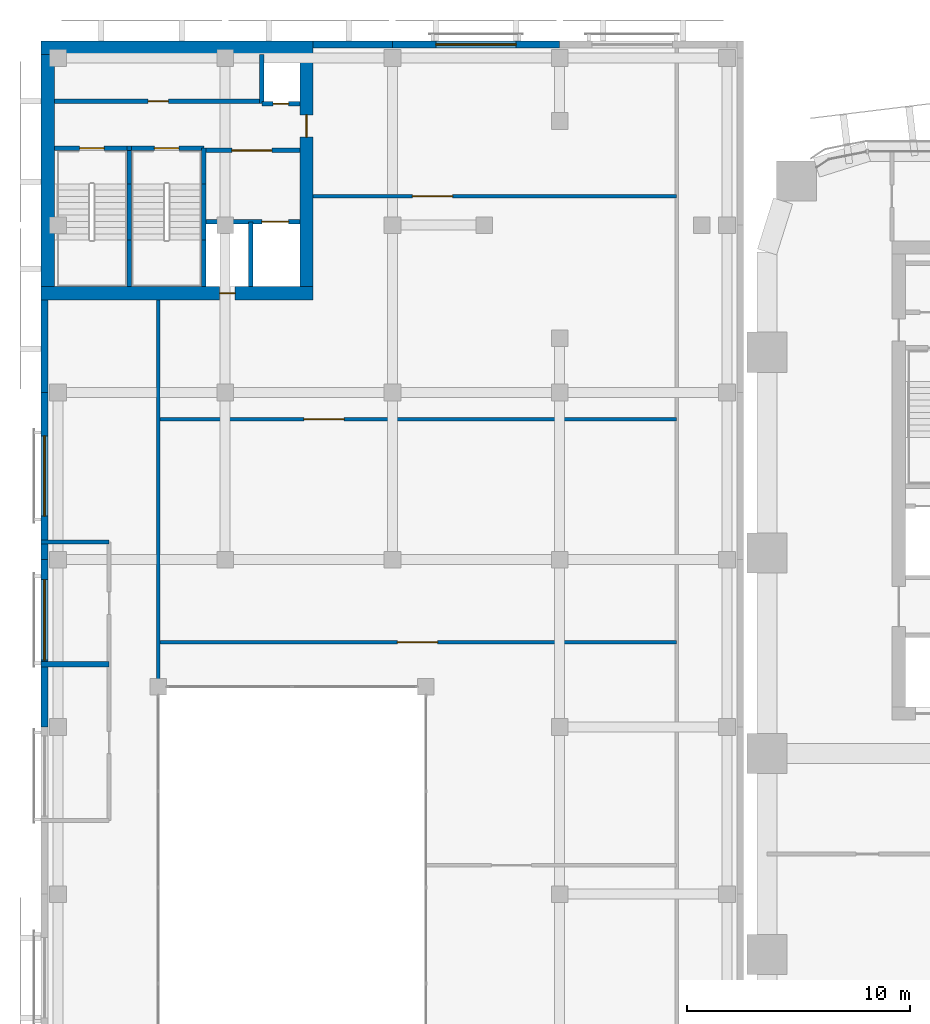
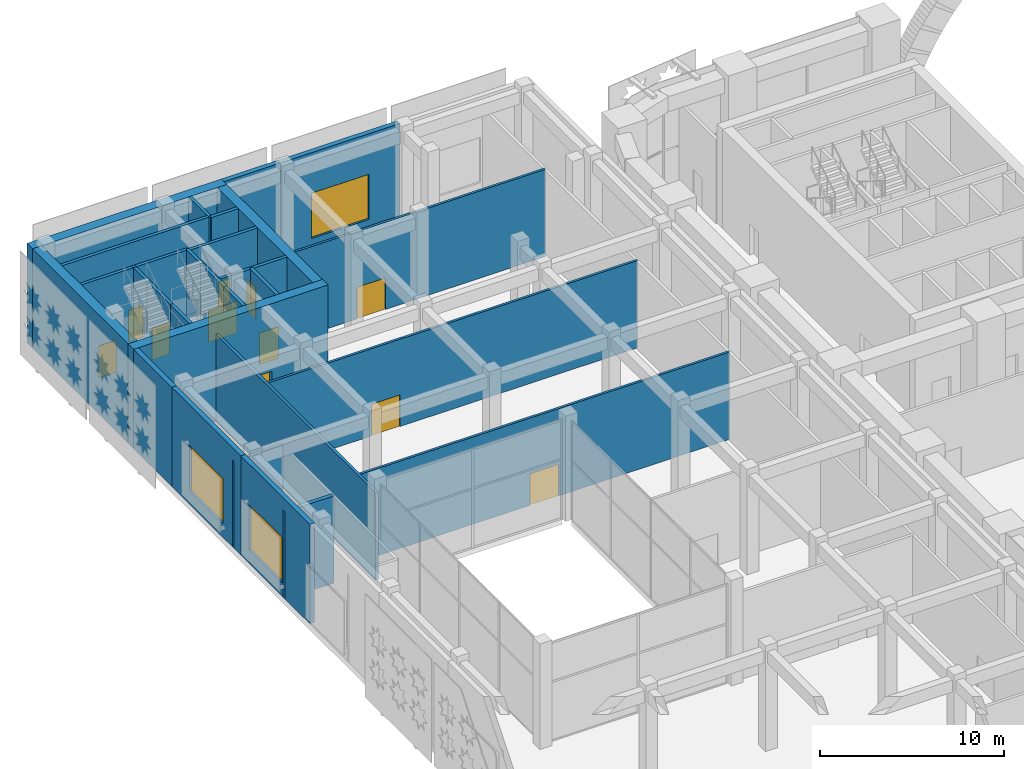
# One storey, part 20 of 42: 30 walls, 11 doors, 3 windows, 14 openings.
"""IFC4 building model written with IfcOpenShell, lengths in metres."""

from ifc_helpers import new_model, si_unit, direction, frame, frame_2d, origin, place, context, subcontext, project, spatial, rectangle, extrude, material, layer, layer_set, type_object, element, fill, save


model = new_model("IFC4")

# Units and contexts
model_context = context("Model", 3, precision=1e-05, world=origin(), true_north=direction((0.0, 1.0)))
body_context = subcontext(model_context, "Body", "Model", "MODEL_VIEW")
ifc_project = project(units=[si_unit("LENGTHUNIT", "METRE"), si_unit("AREAUNIT", "SQUARE_METRE"), si_unit("VOLUMEUNIT", "CUBIC_METRE"), si_unit("PLANEANGLEUNIT", "RADIAN"), si_unit("MASSUNIT", "GRAM", prefix="KILO")], contexts=[model_context])

# Site, building, storey
site_placement = place(None, origin())
site = spatial("IfcSite", under=ifc_project, at=site_placement, CompositionType="ELEMENT")
building_placement = place(site_placement, origin())
building = spatial("IfcBuilding", under=site, at=building_placement, Name="Tessera Arch", CompositionType="ELEMENT")
storey_placement = place(building_placement, frame((0.0, 0.0, 14.0)))
storey = spatial("IfcBuildingStorey", under=building, at=storey_placement, Name="L02", CompositionType="ELEMENT", Elevation=14.0)

# Wall, opening, door
ifc_material_1 = material(Name="Gypsum board on steel stud", Category="steel")
ifc_layer_1 = layer(ifc_material_1, 0.125)
ifc_layer_set_1 = layer_set([ifc_layer_1], Name="Core partition 125 EI 60")
wall_type_1 = type_object("IfcWallType", Name="Core partition 125 EI 60", PredefinedType="PARTITIONING", material=ifc_layer_set_1)
wall_1_placement = place(storey_placement, frame((-25.25, 54.050048828125, 0.0), z_axis=(0.0, 0.0, 1.0), x_axis=(1.0, 0.0, 0.0)))
wall_1 = element("IfcWall", 1, at=wall_1_placement, inside=storey, type_object=wall_type_1, Name="L02 M1 partition wall 10", PredefinedType="PARTITIONING", context=body_context, shape_type="SweptSolid", body=[
    extrude(rectangle(XDim=4.300048828125, YDim=0.199951171875, at=frame_2d((2.14990234375, 0.0))), origin(), (0.0, 0.0, 1.0), 6.590087890625),
])
opening_1_placement = place(wall_1_placement, frame((1.25, 0.0, 0.0)))
opening_1 = element("IfcOpeningElement", 2, at=opening_1_placement, cuts=wall_1, Name="Opening L02-C48", PredefinedType="OPENING", context=body_context, shape_type="SweptSolid", body=[
    extrude(rectangle(XDim=1.800048828125, YDim=2.10009765625, at=frame_2d((0.89990234375, 1.050048828125))), frame((0.0, 0.10986328125, 0.0), z_axis=(0.0, -1.0, 0.0), x_axis=(1.0, 0.0, 0.0)), (0.0, 0.0, 1.0), 0.219970703125),
])
ifc_material_2 = material(Name="Glazed steel door leaf", Category="steel")
door_type_1 = type_object("IfcDoorType", Name="Lobby double door FD30S 1800 x 2100", OperationType="DOUBLE_DOOR_SINGLE_SWING", PredefinedType="DOOR", material=ifc_material_2)
door_1_placement = place(opening_1_placement, origin())
door_1 = element("IfcDoor", 3, at=door_1_placement, inside=storey, type_object=door_type_1, Name="L02 M1 door 4 C48 type D06", OperationType="DOUBLE_DOOR_SINGLE_SWING", OverallHeight=2.10009765625, OverallWidth=1.800048828125, PredefinedType="DOOR", context=body_context, shape_type="SweptSolid", body=[
    extrude(rectangle(XDim=1.800048828125, YDim=2.10009765625, at=frame_2d((0.89990234375, 1.050048828125))), frame((0.0, 0.02490234375, 0.0), z_axis=(0.0, -1.0, 0.0), x_axis=(1.0, 0.0, 0.0)), (0.0, 0.0, 1.0), 0.050048828125),
])
fill(opening_1, door_1)

wall_2_placement = place(storey_placement, frame((-31.949951171875, 56.25, 0.0), z_axis=(0.0, 0.0, 1.0), x_axis=(1.0, 0.0, 0.0)))
wall_2 = element("IfcWall", 4, at=wall_2_placement, inside=storey, type_object=wall_type_1, Name="L02 M1 partition wall 14", PredefinedType="PARTITIONING", context=body_context, shape_type="SweptSolid", body=[
    extrude(rectangle(XDim=9.300048828125, YDim=0.199951171875, at=frame_2d((4.64990234375, 0.0))), origin(), (0.0, 0.0, 1.0), 6.590087890625),
])
opening_2_placement = place(wall_2_placement, frame((4.199951171875, 0.0, 0.0)))
opening_2 = element("IfcOpeningElement", 5, at=opening_2_placement, cuts=wall_2, Name="Opening L02-C52", PredefinedType="OPENING", context=body_context, shape_type="SweptSolid", body=[
    extrude(rectangle(XDim=0.89990234375, YDim=2.10009765625, at=frame_2d((0.449951171875, 1.050048828125))), frame((0.0, 0.10986328125, 0.0), z_axis=(0.0, -1.0, 0.0), x_axis=(1.0, 0.0, 0.0)), (0.0, 0.0, 1.0), 0.219970703125),
])
ifc_material_3 = material(Name="Steel door leaf", Category="steel")
door_type_2 = type_object("IfcDoorType", Name="Store door FD30S 900 x 2100", OperationType="SINGLE_SWING_LEFT", PredefinedType="DOOR", material=ifc_material_3)
door_2_placement = place(opening_2_placement, origin())
door_2 = element("IfcDoor", 6, at=door_2_placement, inside=storey, type_object=door_type_2, Name="L02 M1 door 8 C52 type D09", OperationType="SINGLE_SWING_LEFT", OverallHeight=2.10009765625, OverallWidth=0.89990234375, PredefinedType="DOOR", context=body_context, shape_type="SweptSolid", body=[
    extrude(rectangle(XDim=0.89990234375, YDim=2.10009765625, at=frame_2d((0.449951171875, 1.050048828125))), frame((0.0, 0.02490234375, 0.0), z_axis=(0.0, -1.0, 0.0), x_axis=(1.0, 0.0, 0.0)), (0.0, 0.0, 1.0), 0.050048828125),
])
fill(opening_2, door_2)

ifc_material_4 = material(Name="Concrete C70/85", Category="concrete")
ifc_layer_2 = layer(ifc_material_4, 0.60009765625)
ifc_layer_set_2 = layer_set([ifc_layer_2], Name="Core shell wall 600 C70-85")
wall_type_2 = type_object("IfcWallType", Name="Core shell wall 600 C70-85", PredefinedType="SHEAR", material=ifc_layer_set_2)
wall_3_placement = place(storey_placement, frame((-32.550048828125, 47.64990234375, 0.0), z_axis=(0.0, 0.0, 1.0), x_axis=(1.0, 0.0, 0.0)))
wall_3 = element("IfcWall", 7, at=wall_3_placement, inside=storey, type_object=wall_type_2, Name="L02 M1 core wall S", PredefinedType="SHEAR", context=body_context, shape_type="SweptSolid", body=[
    extrude(rectangle(XDim=12.199951171875, YDim=0.60009765625, at=frame_2d((6.10009765625, 0.0))), origin(), (0.0, 0.0, 1.0), 6.590087890625),
])
opening_3_placement = place(wall_3_placement, frame((8.0, 0.0, 0.0)))
opening_3 = element("IfcOpeningElement", 8, at=opening_3_placement, cuts=wall_3, Name="Opening L02-C50", PredefinedType="OPENING", context=body_context, shape_type="SweptSolid", body=[
    extrude(rectangle(XDim=0.699951171875, YDim=2.10009765625, at=frame_2d((0.35009765625, 1.050048828125))), frame((0.0, 0.31005859375, 0.0), z_axis=(0.0, -1.0, 0.0), x_axis=(1.0, 0.0, 0.0)), (0.0, 0.0, 1.0), 0.6201171875),
])
ifc_material_5 = material(Name="Steel door leaf", Category="steel")
door_type_3 = type_object("IfcDoorType", Name="Service shaft door FD60 700 x 2100", OperationType="SINGLE_SWING_LEFT", PredefinedType="DOOR", material=ifc_material_5)
door_3_placement = place(opening_3_placement, origin())
door_3 = element("IfcDoor", 9, at=door_3_placement, inside=storey, type_object=door_type_3, Name="L02 M1 door 6 C50 type D07", OperationType="SINGLE_SWING_RIGHT", OverallHeight=2.10009765625, OverallWidth=0.699951171875, PredefinedType="DOOR", context=body_context, shape_type="SweptSolid", body=[
    extrude(rectangle(XDim=0.699951171875, YDim=2.10009765625, at=frame_2d((0.35009765625, 1.050048828125))), frame((0.0, 0.02490234375, 0.0), z_axis=(0.0, -1.0, 0.0), x_axis=(1.0, 0.0, 0.0)), (0.0, 0.0, 1.0), 0.050048828125),
])
fill(opening_3, door_3)

# Walls
wall_4_placement = place(storey_placement, frame((-32.550048828125, 58.64990234375, 0.0), z_axis=(0.0, 0.0, 1.0), x_axis=(1.0, 0.0, 0.0)))
element("IfcWall", 10, at=wall_4_placement, inside=storey, type_object=wall_type_2, Name="L02 M1 core wall N", PredefinedType="SHEAR", context=body_context, shape_type="SweptSolid", body=[
    extrude(rectangle(XDim=12.199951171875, YDim=0.60009765625, at=frame_2d((6.10009765625, 0.0))), origin(), (0.0, 0.0, 1.0), 6.590087890625),
])
wall_5_placement = place(storey_placement, frame((-32.25, 47.949951171875, 0.0), z_axis=(0.0, 0.0, 1.0), x_axis=(0.0, 1.0, 0.0)))
element("IfcWall", 11, at=wall_5_placement, inside=storey, type_object=wall_type_2, Name="L02 M1 core wall W", PredefinedType="SHEAR", context=body_context, shape_type="SweptSolid", body=[
    extrude(rectangle(XDim=10.400146484375, YDim=0.60009765625, at=frame_2d((5.2001953125, 0.0))), origin(), (0.0, 0.0, 1.0), 6.590087890625),
])

# Wall, opening, door
wall_6_placement = place(storey_placement, frame((-20.64990234375, 47.949951171875, 0.0), z_axis=(0.0, 0.0, 1.0), x_axis=(0.0, 1.0, 0.0)))
wall_6 = element("IfcWall", 12, at=wall_6_placement, inside=storey, type_object=wall_type_2, Name="L02 M1 core wall E", PredefinedType="SHEAR", context=body_context, shape_type="SweptSolid", body=[
    extrude(rectangle(XDim=10.400146484375, YDim=0.60009765625, at=frame_2d((5.2001953125, 0.0))), origin(), (0.0, 0.0, 1.0), 6.590087890625),
])
opening_4_placement = place(wall_6_placement, frame((6.699951171875, 0.0, 0.0)))
opening_4 = element("IfcOpeningElement", 13, at=opening_4_placement, cuts=wall_6, Name="Opening L02-C51", PredefinedType="OPENING", context=body_context, shape_type="SweptSolid", body=[
    extrude(rectangle(XDim=1.0, YDim=2.10009765625, at=frame_2d((0.5, 1.050048828125))), frame((0.0, 0.31005859375, 0.0), z_axis=(0.0, -1.0, 0.0), x_axis=(1.0, 0.0, 0.0)), (0.0, 0.0, 1.0), 0.6201171875),
])
ifc_material_6 = material(Name="Steel door leaf", Category="steel")
door_type_4 = type_object("IfcDoorType", Name="Corridor door FD60 1000 x 2100", OperationType="SINGLE_SWING_LEFT", PredefinedType="DOOR", material=ifc_material_6)
door_4_placement = place(opening_4_placement, origin())
door_4 = element("IfcDoor", 14, at=door_4_placement, inside=storey, type_object=door_type_4, Name="L02 M1 door 7 C51 type D12", OperationType="SINGLE_SWING_RIGHT", OverallHeight=2.10009765625, OverallWidth=1.0, PredefinedType="DOOR", context=body_context, shape_type="SweptSolid", body=[
    extrude(rectangle(XDim=1.0, YDim=2.10009765625, at=frame_2d((0.5, 1.050048828125))), frame((0.0, 0.02490234375, 0.0), z_axis=(0.0, -1.0, 0.0), x_axis=(1.0, 0.0, 0.0)), (0.0, 0.0, 1.0), 0.050048828125),
])
fill(opening_4, door_4)

# Walls
ifc_material_7 = material(Name="Gypsum board on deep steel stud with mineral wool", Category="steel")
ifc_layer_3 = layer(ifc_material_7, 0.175048828125)
ifc_layer_set_3 = layer_set([ifc_layer_3], Name="Corridor wall 175 EI 60")
wall_type_3 = type_object("IfcWallType", Name="Corridor wall 175 EI 60", PredefinedType="PARTITIONING", material=ifc_layer_set_3)
wall_7_placement = place(storey_placement, frame((-32.550048828125, 36.5, 0.0), z_axis=(0.0, 0.0, 1.0), x_axis=(1.0, 0.0, 0.0)))
element("IfcWall", 15, at=wall_7_placement, inside=storey, type_object=wall_type_3, Name="L02 partition 8", PredefinedType="PARTITIONING", context=body_context, shape_type="SweptSolid", body=[
    extrude(rectangle(XDim=3.050048828125, YDim=0.175048828125, at=frame_2d((1.52490234375, 0.0))), origin(), (0.0, 0.0, 1.0), 5.7900390625),
])
wall_8_placement = place(storey_placement, frame((-27.300048828125, 30.0, 0.0), z_axis=(0.0, 0.0, 1.0), x_axis=(0.0, 1.0, 0.0)))
element("IfcWall", 16, at=wall_8_placement, inside=storey, type_object=wall_type_3, Name="L02 partition 11", PredefinedType="PARTITIONING", context=body_context, shape_type="SweptSolid", body=[
    extrude(rectangle(XDim=17.35009765625, YDim=0.175048828125, at=frame_2d((8.675048828125, 0.0))), origin(), (0.0, 0.0, 1.0), 5.7900390625),
])

# Wall, opening, window
ifc_material_8 = material(Name="Aluminium cladding pale metal anodised", Category="aluminium")
ifc_layer_4 = layer(ifc_material_8, 0.300048828125)
ifc_layer_set_4 = layer_set([ifc_layer_4], Name="Museum envelope wall pale metal")
wall_type_4 = type_object("IfcWallType", Name="Museum envelope wall pale metal", PredefinedType="SOLIDWALL", material=ifc_layer_set_4)
wall_9_placement = place(storey_placement, frame((-9.300048828125, 58.800048828125, 0.0), z_axis=(0.0, 0.0, 1.0), x_axis=(-1.0, 0.0, 0.0)))
wall_9 = element("IfcWall", 17, at=wall_9_placement, inside=storey, type_object=wall_type_4, Name="Museum external wall pale metal mashrabiya pattern", PredefinedType="SOLIDWALL", context=body_context, shape_type="SweptSolid", body=[
    extrude(rectangle(XDim=7.5, YDim=0.300048828125, at=frame_2d((3.75, 0.0))), origin(), (0.0, 0.0, 1.0), 6.590087890625),
])
opening_5_placement = place(wall_9_placement, frame((1.949951171875, 0.0, 0.89990234375)))
opening_5 = element("IfcOpeningElement", 18, at=opening_5_placement, cuts=wall_9, Name="Opening L02-MV31", PredefinedType="OPENING", context=body_context, shape_type="SweptSolid", body=[
    extrude(rectangle(XDim=3.60009765625, YDim=3.0, at=frame_2d((1.800048828125, 1.5))), frame((0.0, 0.159912109375, 0.0), z_axis=(0.0, -1.0, 0.0), x_axis=(1.0, 0.0, 0.0)), (0.0, 0.0, 1.0), 0.320068359375),
])
ifc_material_9 = material(Name="Clear low-e glass in aluminium frame", Category="aluminium")
window_type = type_object("IfcWindowType", Name="Museum window fixed clear glass", PartitioningType="SINGLE_PANEL", PredefinedType="WINDOW", material=ifc_material_9)
window_1_placement = place(opening_5_placement, origin())
window_1 = element("IfcWindow", 19, at=window_1_placement, inside=storey, type_object=window_type, Name="Museum window L02 5-3", OverallHeight=3.0, OverallWidth=3.60009765625, PartitioningType="SINGLE_PANEL", PredefinedType="WINDOW", context=body_context, shape_type="SweptSolid", body=[
    extrude(rectangle(XDim=3.60009765625, YDim=3.0, at=frame_2d((1.800048828125, 1.5))), frame((0.0, 0.030029296875, 0.0), z_axis=(0.0, -1.0, 0.0), x_axis=(1.0, 0.0, 0.0)), (0.0, 0.0, 1.0), 0.06005859375),
])
fill(opening_5, window_1)

# Walls
wall_10_placement = place(storey_placement, frame((-16.800048828125, 58.800048828125, 0.0), z_axis=(0.0, 0.0, 1.0), x_axis=(-1.0, 0.0, 0.0)))
element("IfcWall", 20, at=wall_10_placement, inside=storey, type_object=wall_type_4, Name="Museum external wall pale metal mashrabiya pattern", PredefinedType="SOLIDWALL", context=body_context, shape_type="SweptSolid", body=[
    extrude(rectangle(XDim=3.550048828125, YDim=0.300048828125, at=frame_2d((1.77490234375, 0.0))), origin(), (0.0, 0.0, 1.0), 6.590087890625),
])
wall_11_placement = place(storey_placement, frame((-32.39990234375, 47.35009765625, 0.0), z_axis=(0.0, 0.0, 1.0), x_axis=(0.0, -1.0, 0.0)))
element("IfcWall", 21, at=wall_11_placement, inside=storey, type_object=wall_type_4, Name="Museum external wall pale metal mashrabiya pattern", PredefinedType="SOLIDWALL", context=body_context, shape_type="SweptSolid", body=[
    extrude(rectangle(XDim=4.150146484375, YDim=0.300048828125, at=frame_2d((2.0751953125, 0.0))), origin(), (0.0, 0.0, 1.0), 6.590087890625),
])

# Wall, opening, window
wall_12_placement = place(storey_placement, frame((-32.39990234375, 43.199951171875, 0.0), z_axis=(0.0, 0.0, 1.0), x_axis=(0.0, -1.0, 0.0)))
wall_12 = element("IfcWall", 22, at=wall_12_placement, inside=storey, type_object=wall_type_4, Name="Museum external wall pale metal mashrabiya pattern", PredefinedType="SOLIDWALL", context=body_context, shape_type="SweptSolid", body=[
    extrude(rectangle(XDim=7.5, YDim=0.300048828125, at=frame_2d((3.75, 0.0))), origin(), (0.0, 0.0, 1.0), 6.590087890625),
])
opening_6_placement = place(wall_12_placement, frame((1.949951171875, 0.0, 0.89990234375)))
opening_6 = element("IfcOpeningElement", 23, at=opening_6_placement, cuts=wall_12, Name="Opening L02-MV32", PredefinedType="OPENING", context=body_context, shape_type="SweptSolid", body=[
    extrude(rectangle(XDim=3.60009765625, YDim=3.0, at=frame_2d((1.800048828125, 1.5))), frame((0.0, 0.159912109375, 0.0), z_axis=(0.0, -1.0, 0.0), x_axis=(1.0, 0.0, 0.0)), (0.0, 0.0, 1.0), 0.320068359375),
])
window_2_placement = place(opening_6_placement, origin())
window_2 = element("IfcWindow", 24, at=window_2_placement, inside=storey, type_object=window_type, Name="Museum window L02 6-4", OverallHeight=3.0, OverallWidth=3.60009765625, PartitioningType="SINGLE_PANEL", PredefinedType="WINDOW", context=body_context, shape_type="SweptSolid", body=[
    extrude(rectangle(XDim=3.60009765625, YDim=3.0, at=frame_2d((1.800048828125, 1.5))), frame((0.0, 0.030029296875, 0.0), z_axis=(0.0, -1.0, 0.0), x_axis=(1.0, 0.0, 0.0)), (0.0, 0.0, 1.0), 0.06005859375),
])
fill(opening_6, window_2)

wall_13_placement = place(storey_placement, frame((-32.39990234375, 35.699951171875, 0.0), z_axis=(0.0, 0.0, 1.0), x_axis=(0.0, -1.0, 0.0)))
wall_13 = element("IfcWall", 25, at=wall_13_placement, inside=storey, type_object=wall_type_4, Name="Museum external wall pale metal mashrabiya pattern", PredefinedType="SOLIDWALL", context=body_context, shape_type="SweptSolid", body=[
    extrude(rectangle(XDim=7.5, YDim=0.300048828125, at=frame_2d((3.75, 0.0))), origin(), (0.0, 0.0, 1.0), 6.590087890625),
])
opening_7_placement = place(wall_13_placement, frame((0.89990234375, 0.0, 0.89990234375)))
opening_7 = element("IfcOpeningElement", 26, at=opening_7_placement, cuts=wall_13, Name="Opening L02-MV33", PredefinedType="OPENING", context=body_context, shape_type="SweptSolid", body=[
    extrude(rectangle(XDim=3.60009765625, YDim=3.0, at=frame_2d((1.800048828125, 1.5))), frame((0.0, 0.159912109375, 0.0), z_axis=(0.0, -1.0, 0.0), x_axis=(1.0, 0.0, 0.0)), (0.0, 0.0, 1.0), 0.320068359375),
])
window_3_placement = place(opening_7_placement, origin())
window_3 = element("IfcWindow", 27, at=window_3_placement, inside=storey, type_object=window_type, Name="Museum window L02 6-5", OverallHeight=3.0, OverallWidth=3.60009765625, PartitioningType="SINGLE_PANEL", PredefinedType="WINDOW", context=body_context, shape_type="SweptSolid", body=[
    extrude(rectangle(XDim=3.60009765625, YDim=3.0, at=frame_2d((1.800048828125, 1.5))), frame((0.0, 0.030029296875, 0.0), z_axis=(0.0, -1.0, 0.0), x_axis=(1.0, 0.0, 0.0)), (0.0, 0.0, 1.0), 0.06005859375),
])
fill(opening_7, window_3)

# Wall, opening, door
ifc_material_10 = material(Name="Gypsum board on steel stud", Category="steel")
ifc_layer_5 = layer(ifc_material_10, 0.14990234375)
ifc_layer_set_5 = layer_set([ifc_layer_5], Name="Partition 150")
wall_type_5 = type_object("IfcWallType", Name="Partition 150", PredefinedType="PARTITIONING", material=ifc_layer_set_5)
wall_14_placement = place(storey_placement, frame((-27.300048828125, 32.0, 0.0), z_axis=(0.0, 0.0, 1.0), x_axis=(1.0, 0.0, 0.0)))
wall_14 = element("IfcWall", 28, at=wall_14_placement, inside=storey, type_object=wall_type_5, Name="L02 partition 20", PredefinedType="PARTITIONING", context=body_context, shape_type="SweptSolid", body=[
    extrude(rectangle(XDim=23.25, YDim=0.14990234375, at=frame_2d((11.625, 0.0))), origin(), (0.0, 0.0, 1.0), 5.7900390625),
])
opening_8_placement = place(wall_14_placement, frame((10.72509765625, 0.0, 0.0)))
opening_8 = element("IfcOpeningElement", 29, at=opening_8_placement, cuts=wall_14, Name="Opening L02-D003", PredefinedType="OPENING", context=body_context, shape_type="SweptSolid", body=[
    extrude(rectangle(XDim=1.800048828125, YDim=2.10009765625, at=frame_2d((0.89990234375, 1.050048828125))), frame((0.0, 0.0849609375, 0.0), z_axis=(0.0, -1.0, 0.0), x_axis=(1.0, 0.0, 0.0)), (0.0, 0.0, 1.0), 0.169921875),
])
ifc_material_11 = material(Name="Timber door leaf", Category="wood")
door_type_5 = type_object("IfcDoorType", Name="Double door 1800 x 2100", OperationType="DOUBLE_DOOR_SINGLE_SWING", PredefinedType="DOOR", material=ifc_material_11)
door_5_placement = place(opening_8_placement, origin())
door_5 = element("IfcDoor", 30, at=door_5_placement, inside=storey, type_object=door_type_5, Name="L02 door D003 type D13", OperationType="DOUBLE_DOOR_SINGLE_SWING", OverallHeight=2.10009765625, OverallWidth=1.800048828125, PredefinedType="DOOR", context=body_context, shape_type="SweptSolid", body=[
    extrude(rectangle(XDim=1.800048828125, YDim=2.10009765625, at=frame_2d((0.89990234375, 1.050048828125))), frame((0.0, 0.02490234375, 0.0), z_axis=(0.0, -1.0, 0.0), x_axis=(1.0, 0.0, 0.0)), (0.0, 0.0, 1.0), 0.050048828125),
])
fill(opening_8, door_5)

wall_15_placement = place(storey_placement, frame((-27.300048828125, 42.0, 0.0), z_axis=(0.0, 0.0, 1.0), x_axis=(1.0, 0.0, 0.0)))
wall_15 = element("IfcWall", 31, at=wall_15_placement, inside=storey, type_object=wall_type_5, Name="L02 partition 21", PredefinedType="PARTITIONING", context=body_context, shape_type="SweptSolid", body=[
    extrude(rectangle(XDim=23.25, YDim=0.14990234375, at=frame_2d((11.625, 0.0))), origin(), (0.0, 0.0, 1.0), 5.7900390625),
])
opening_9_placement = place(wall_15_placement, frame((6.534912109375, 0.0, 0.0)))
opening_9 = element("IfcOpeningElement", 32, at=opening_9_placement, cuts=wall_15, Name="Opening L02-D004", PredefinedType="OPENING", context=body_context, shape_type="SweptSolid", body=[
    extrude(rectangle(XDim=1.800048828125, YDim=2.10009765625, at=frame_2d((0.89990234375, 1.050048828125))), frame((0.0, 0.0849609375, 0.0), z_axis=(0.0, -1.0, 0.0), x_axis=(1.0, 0.0, 0.0)), (0.0, 0.0, 1.0), 0.169921875),
])
door_6_placement = place(opening_9_placement, origin())
door_6 = element("IfcDoor", 33, at=door_6_placement, inside=storey, type_object=door_type_5, Name="L02 door D004 type D13", OperationType="DOUBLE_DOOR_SINGLE_SWING", OverallHeight=2.10009765625, OverallWidth=1.800048828125, PredefinedType="DOOR", context=body_context, shape_type="SweptSolid", body=[
    extrude(rectangle(XDim=1.800048828125, YDim=2.10009765625, at=frame_2d((0.89990234375, 1.050048828125))), frame((0.0, 0.02490234375, 0.0), z_axis=(0.0, -1.0, 0.0), x_axis=(1.0, 0.0, 0.0)), (0.0, 0.0, 1.0), 0.050048828125),
])
fill(opening_9, door_6)

wall_16_placement = place(storey_placement, frame((-20.35009765625, 52.0, 0.0), z_axis=(0.0, 0.0, 1.0), x_axis=(1.0, 0.0, 0.0)))
wall_16 = element("IfcWall", 34, at=wall_16_placement, inside=storey, type_object=wall_type_5, Name="L02 partition 22", PredefinedType="PARTITIONING", context=body_context, shape_type="SweptSolid", body=[
    extrude(rectangle(XDim=16.300048828125, YDim=0.14990234375, at=frame_2d((8.14990234375, 0.0))), origin(), (0.0, 0.0, 1.0), 5.7900390625),
])
opening_10_placement = place(wall_16_placement, frame((4.449951171875, 0.0, 0.0)))
opening_10 = element("IfcOpeningElement", 35, at=opening_10_placement, cuts=wall_16, Name="Opening L02-D005", PredefinedType="OPENING", context=body_context, shape_type="SweptSolid", body=[
    extrude(rectangle(XDim=1.800048828125, YDim=2.10009765625, at=frame_2d((0.89990234375, 1.050048828125))), frame((0.0, 0.0849609375, 0.0), z_axis=(0.0, -1.0, 0.0), x_axis=(1.0, 0.0, 0.0)), (0.0, 0.0, 1.0), 0.169921875),
])
door_7_placement = place(opening_10_placement, origin())
door_7 = element("IfcDoor", 36, at=door_7_placement, inside=storey, type_object=door_type_5, Name="L02 door D005 type D13", OperationType="DOUBLE_DOOR_SINGLE_SWING", OverallHeight=2.10009765625, OverallWidth=1.800048828125, PredefinedType="DOOR", context=body_context, shape_type="SweptSolid", body=[
    extrude(rectangle(XDim=1.800048828125, YDim=2.10009765625, at=frame_2d((0.89990234375, 1.050048828125))), frame((0.0, 0.02490234375, 0.0), z_axis=(0.0, -1.0, 0.0), x_axis=(1.0, 0.0, 0.0)), (0.0, 0.0, 1.0), 0.050048828125),
])
fill(opening_10, door_7)

# Walls
ifc_material_12 = material(Name="Double gypsum board on twin steel stud with acoustic mineral wool", Category="steel")
ifc_layer_6 = layer(ifc_material_12, 0.25)
ifc_layer_set_6 = layer_set([ifc_layer_6], Name="Party wall 250 EI 60")
wall_type_6 = type_object("IfcWallType", Name="Party wall 250 EI 60", PredefinedType="PARTITIONING", material=ifc_layer_set_6)
wall_17_placement = place(storey_placement, frame((-32.550048828125, 31.0, 0.0), z_axis=(0.0, 0.0, 1.0), x_axis=(1.0, 0.0, 0.0)))
element("IfcWall", 37, at=wall_17_placement, inside=storey, type_object=wall_type_6, Name="L02 partition 30", PredefinedType="PARTITIONING", context=body_context, shape_type="SweptSolid", body=[
    extrude(rectangle(XDim=3.050048828125, YDim=0.25, at=frame_2d((1.52490234375, 0.0))), origin(), (0.0, 0.0, 1.0), 5.7900390625),
])
ifc_material_13 = material(Name="Concrete C40/50", Category="concrete")
ifc_layer_7 = layer(ifc_material_13, 0.199951171875)
ifc_layer_set_7 = layer_set([ifc_layer_7], Name="Shaft wall 200 EI 120")
wall_type_7 = type_object("IfcWallType", Name="Shaft wall 200 EI 120", PredefinedType="SOLIDWALL", material=ifc_layer_set_7)
wall_18_placement = place(storey_placement, frame((-23.14990234375, 47.949951171875, 0.0), z_axis=(0.0, 0.0, 1.0), x_axis=(0.0, 1.0, 0.0)))
element("IfcWall", 38, at=wall_18_placement, inside=storey, type_object=wall_type_7, Name="L02 M1 shaft wall 7", PredefinedType="SOLIDWALL", context=body_context, shape_type="SweptSolid", body=[
    extrude(rectangle(XDim=2.900146484375, YDim=0.199951171875, at=frame_2d((1.4501953125, 0.0))), origin(), (0.0, 0.0, 1.0), 6.590087890625),
])
wall_19_placement = place(storey_placement, frame((-22.64990234375, 56.14990234375, 0.0), z_axis=(0.0, 0.0, 1.0), x_axis=(0.0, 1.0, 0.0)))
element("IfcWall", 39, at=wall_19_placement, inside=storey, type_object=wall_type_7, Name="L02 M1 shaft wall 8", PredefinedType="SOLIDWALL", context=body_context, shape_type="SweptSolid", body=[
    extrude(rectangle(XDim=2.2001953125, YDim=0.199951171875, at=frame_2d((1.10009765625, 0.0))), origin(), (0.0, 0.0, 1.0), 6.590087890625),
])

# Wall, opening, door
wall_20_placement = place(storey_placement, frame((-25.25, 50.85009765625, 0.0), z_axis=(0.0, 0.0, 1.0), x_axis=(1.0, 0.0, 0.0)))
wall_20 = element("IfcWall", 40, at=wall_20_placement, inside=storey, type_object=wall_type_7, Name="L02 M1 shaft wall 9", PredefinedType="SOLIDWALL", context=body_context, shape_type="SweptSolid", body=[
    extrude(rectangle(XDim=4.300048828125, YDim=0.199951171875, at=frame_2d((2.14990234375, 0.0))), origin(), (0.0, 0.0, 1.0), 6.590087890625),
])
opening_11_placement = place(wall_20_placement, frame((2.60009765625, 0.0, 0.0)))
opening_11 = element("IfcOpeningElement", 41, at=opening_11_placement, cuts=wall_20, Name="Opening L02-C45", PredefinedType="OPENING", context=body_context, shape_type="SweptSolid", body=[
    extrude(rectangle(XDim=1.199951171875, YDim=2.10009765625, at=frame_2d((0.60009765625, 1.050048828125))), frame((0.0, 0.10986328125, 0.0), z_axis=(0.0, -1.0, 0.0), x_axis=(1.0, 0.0, 0.0)), (0.0, 0.0, 1.0), 0.219970703125),
])
ifc_material_14 = material(Name="Stainless steel AISI 304", Category="steel")
door_type_6 = type_object("IfcDoorType", Name="Sliding landing door 1200 x 2100", OperationType="SLIDING_TO_LEFT", PredefinedType="DOOR", material=ifc_material_14)
door_8_placement = place(opening_11_placement, origin())
door_8 = element("IfcDoor", 42, at=door_8_placement, inside=storey, type_object=door_type_6, Name="L02 ML1 lift landing door C45 type LD", OperationType="SLIDING_TO_LEFT", OverallHeight=2.10009765625, OverallWidth=1.199951171875, PredefinedType="DOOR", context=body_context, shape_type="SweptSolid", body=[
    extrude(rectangle(XDim=1.199951171875, YDim=2.10009765625, at=frame_2d((0.60009765625, 1.050048828125))), frame((0.0, 0.02490234375, 0.0), z_axis=(0.0, -1.0, 0.0), x_axis=(1.0, 0.0, 0.0)), (0.0, 0.0, 1.0), 0.050048828125),
])
fill(opening_11, door_8)

wall_21_placement = place(storey_placement, frame((-22.64990234375, 56.14990234375, 0.0), z_axis=(0.0, 0.0, 1.0), x_axis=(1.0, 0.0, 0.0)))
wall_21 = element("IfcWall", 43, at=wall_21_placement, inside=storey, type_object=wall_type_7, Name="L02 M1 shaft wall 15", PredefinedType="SOLIDWALL", context=body_context, shape_type="SweptSolid", body=[
    extrude(rectangle(XDim=1.699951171875, YDim=0.199951171875, at=frame_2d((0.85009765625, 0.0))), origin(), (0.0, 0.0, 1.0), 6.590087890625),
])
opening_12_placement = place(wall_21_placement, frame((0.5, 0.0, 0.0)))
opening_12 = element("IfcOpeningElement", 44, at=opening_12_placement, cuts=wall_21, Name="Opening L02-C49", PredefinedType="OPENING", context=body_context, shape_type="SweptSolid", body=[
    extrude(rectangle(XDim=0.699951171875, YDim=2.10009765625, at=frame_2d((0.35009765625, 1.050048828125))), frame((0.0, 0.10986328125, 0.0), z_axis=(0.0, -1.0, 0.0), x_axis=(1.0, 0.0, 0.0)), (0.0, 0.0, 1.0), 0.219970703125),
])
door_9_placement = place(opening_12_placement, origin())
door_9 = element("IfcDoor", 45, at=door_9_placement, inside=storey, type_object=door_type_3, Name="L02 M1 door 5 C49 type D07", OperationType="SINGLE_SWING_RIGHT", OverallHeight=2.10009765625, OverallWidth=0.699951171875, PredefinedType="DOOR", context=body_context, shape_type="SweptSolid", body=[
    extrude(rectangle(XDim=0.699951171875, YDim=2.10009765625, at=frame_2d((0.35009765625, 1.050048828125))), frame((0.0, 0.02490234375, 0.0), z_axis=(0.0, -1.0, 0.0), x_axis=(1.0, 0.0, 0.0)), (0.0, 0.0, 1.0), 0.050048828125),
])
fill(opening_12, door_9)

# Walls
ifc_material_15 = material(Name="Concrete C40/50", Category="concrete")
ifc_layer_8 = layer(ifc_material_15, 0.199951171875)
ifc_layer_set_8 = layer_set([ifc_layer_8], Name="Stair well wall 200 REI 180")
wall_type_8 = type_object("IfcWallType", Name="Stair well wall 200 REI 180", PredefinedType="SOLIDWALL", material=ifc_layer_set_8)
wall_22_placement = place(storey_placement, frame((-28.60009765625, 47.949951171875, 0.0), z_axis=(0.0, 0.0, 1.0), x_axis=(0.0, 1.0, 0.0)))
element("IfcWall", 46, at=wall_22_placement, inside=storey, type_object=wall_type_8, Name="L02 M1 shaft wall 1", PredefinedType="SOLIDWALL", context=body_context, shape_type="SweptSolid", body=[
    extrude(rectangle(XDim=2.080078125, YDim=0.199951171875, at=frame_2d((1.0400390625, 0.0))), origin(), (0.0, 0.0, 1.0), 6.590087890625),
])
wall_23_placement = place(storey_placement, frame((-28.60009765625, 50.030029296875, 0.0), z_axis=(0.0, 0.0, 1.0), x_axis=(0.0, 1.0, 0.0)))
element("IfcWall", 47, at=wall_23_placement, inside=storey, type_object=wall_type_8, Name="L02 M1 shaft wall 2", PredefinedType="SOLIDWALL", context=body_context, shape_type="SweptSolid", body=[
    extrude(rectangle(XDim=2.52001953125, YDim=0.199951171875, at=frame_2d((1.260009765625, 0.0))), origin(), (0.0, 0.0, 1.0), 6.590087890625),
])
wall_24_placement = place(storey_placement, frame((-28.60009765625, 52.550048828125, 0.0), z_axis=(0.0, 0.0, 1.0), x_axis=(0.0, 1.0, 0.0)))
element("IfcWall", 48, at=wall_24_placement, inside=storey, type_object=wall_type_8, Name="L02 M1 shaft wall 3", PredefinedType="SOLIDWALL", context=body_context, shape_type="SweptSolid", body=[
    extrude(rectangle(XDim=1.599853515625, YDim=0.199951171875, at=frame_2d((0.7998046875, 0.0))), origin(), (0.0, 0.0, 1.0), 6.590087890625),
])
wall_25_placement = place(storey_placement, frame((-25.25, 47.949951171875, 0.0), z_axis=(0.0, 0.0, 1.0), x_axis=(0.0, 1.0, 0.0)))
element("IfcWall", 49, at=wall_25_placement, inside=storey, type_object=wall_type_8, Name="L02 M1 shaft wall 4", PredefinedType="SOLIDWALL", context=body_context, shape_type="SweptSolid", body=[
    extrude(rectangle(XDim=2.080078125, YDim=0.199951171875, at=frame_2d((1.0400390625, 0.0))), origin(), (0.0, 0.0, 1.0), 6.590087890625),
])
wall_26_placement = place(storey_placement, frame((-25.25, 50.030029296875, 0.0), z_axis=(0.0, 0.0, 1.0), x_axis=(0.0, 1.0, 0.0)))
element("IfcWall", 50, at=wall_26_placement, inside=storey, type_object=wall_type_8, Name="L02 M1 shaft wall 5", PredefinedType="SOLIDWALL", context=body_context, shape_type="SweptSolid", body=[
    extrude(rectangle(XDim=2.52001953125, YDim=0.199951171875, at=frame_2d((1.260009765625, 0.0))), origin(), (0.0, 0.0, 1.0), 6.590087890625),
])
wall_27_placement = place(storey_placement, frame((-25.25, 52.550048828125, 0.0), z_axis=(0.0, 0.0, 1.0), x_axis=(0.0, 1.0, 0.0)))
element("IfcWall", 51, at=wall_27_placement, inside=storey, type_object=wall_type_8, Name="L02 M1 shaft wall 6", PredefinedType="SOLIDWALL", context=body_context, shape_type="SweptSolid", body=[
    extrude(rectangle(XDim=1.599853515625, YDim=0.199951171875, at=frame_2d((0.7998046875, 0.0))), origin(), (0.0, 0.0, 1.0), 6.590087890625),
])

# Wall, opening, door
wall_28_placement = place(storey_placement, frame((-31.949951171875, 54.14990234375, 0.0), z_axis=(0.0, 0.0, 1.0), x_axis=(1.0, 0.0, 0.0)))
wall_28 = element("IfcWall", 52, at=wall_28_placement, inside=storey, type_object=wall_type_8, Name="L02 M1 shaft wall 11", PredefinedType="SOLIDWALL", context=body_context, shape_type="SweptSolid", body=[
    extrude(rectangle(XDim=3.25, YDim=0.199951171875, at=frame_2d((1.625, 0.0))), origin(), (0.0, 0.0, 1.0), 6.590087890625),
])
opening_13_placement = place(wall_28_placement, frame((1.125, 0.0, 0.0)))
opening_13 = element("IfcOpeningElement", 53, at=opening_13_placement, cuts=wall_28, Name="Opening L02-C46", PredefinedType="OPENING", context=body_context, shape_type="SweptSolid", body=[
    extrude(rectangle(XDim=1.10009765625, YDim=2.10009765625, at=frame_2d((0.550048828125, 1.050048828125))), frame((0.0, 0.10986328125, 0.0), z_axis=(0.0, -1.0, 0.0), x_axis=(1.0, 0.0, 0.0)), (0.0, 0.0, 1.0), 0.219970703125),
])
ifc_material_16 = material(Name="Steel door leaf", Category="steel")
door_type_7 = type_object("IfcDoorType", Name="Stair door FD60 1100 x 2100", OperationType="SINGLE_SWING_LEFT", PredefinedType="DOOR", material=ifc_material_16)
door_10_placement = place(opening_13_placement, origin())
door_10 = element("IfcDoor", 54, at=door_10_placement, inside=storey, type_object=door_type_7, Name="L02 M1 door 2 C46 type D05", OperationType="SINGLE_SWING_RIGHT", OverallHeight=2.10009765625, OverallWidth=1.10009765625, PredefinedType="DOOR", context=body_context, shape_type="SweptSolid", body=[
    extrude(rectangle(XDim=1.10009765625, YDim=2.10009765625, at=frame_2d((0.550048828125, 1.050048828125))), frame((0.0, 0.02490234375, 0.0), z_axis=(0.0, -1.0, 0.0), x_axis=(1.0, 0.0, 0.0)), (0.0, 0.0, 1.0), 0.050048828125),
])
fill(opening_13, door_10)

# Wall
wall_29_placement = place(storey_placement, frame((-28.699951171875, 54.14990234375, 0.0), z_axis=(0.0, 0.0, 1.0), x_axis=(1.0, 0.0, 0.0)))
element("IfcWall", 55, at=wall_29_placement, inside=storey, type_object=wall_type_8, Name="L02 M1 shaft wall 12", PredefinedType="SOLIDWALL", context=body_context, shape_type="SweptSolid", body=[
    extrude(rectangle(XDim=0.199951171875, YDim=0.199951171875, at=frame_2d((0.10009765625, 0.0))), origin(), (0.0, 0.0, 1.0), 6.590087890625),
])

# Wall, opening, door
wall_30_placement = place(storey_placement, frame((-28.5, 54.14990234375, 0.0), z_axis=(0.0, 0.0, 1.0), x_axis=(1.0, 0.0, 0.0)))
wall_30 = element("IfcWall", 56, at=wall_30_placement, inside=storey, type_object=wall_type_8, Name="L02 M1 shaft wall 13", PredefinedType="SOLIDWALL", context=body_context, shape_type="SweptSolid", body=[
    extrude(rectangle(XDim=3.25, YDim=0.199951171875, at=frame_2d((1.625, 0.0))), origin(), (0.0, 0.0, 1.0), 6.590087890625),
])
opening_14_placement = place(wall_30_placement, frame((1.02490234375, 0.0, 0.0)))
opening_14 = element("IfcOpeningElement", 57, at=opening_14_placement, cuts=wall_30, Name="Opening L02-C47", PredefinedType="OPENING", context=body_context, shape_type="SweptSolid", body=[
    extrude(rectangle(XDim=1.10009765625, YDim=2.10009765625, at=frame_2d((0.550048828125, 1.050048828125))), frame((0.0, 0.10986328125, 0.0), z_axis=(0.0, -1.0, 0.0), x_axis=(1.0, 0.0, 0.0)), (0.0, 0.0, 1.0), 0.219970703125),
])
door_11_placement = place(opening_14_placement, origin())
door_11 = element("IfcDoor", 58, at=door_11_placement, inside=storey, type_object=door_type_7, Name="L02 M1 door 3 C47 type D05", OperationType="SINGLE_SWING_LEFT", OverallHeight=2.10009765625, OverallWidth=1.10009765625, PredefinedType="DOOR", context=body_context, shape_type="SweptSolid", body=[
    extrude(rectangle(XDim=1.10009765625, YDim=2.10009765625, at=frame_2d((0.550048828125, 1.050048828125))), frame((0.0, 0.02490234375, 0.0), z_axis=(0.0, -1.0, 0.0), x_axis=(1.0, 0.0, 0.0)), (0.0, 0.0, 1.0), 0.050048828125),
])
fill(opening_14, door_11)

save(model, "model.ifc")
